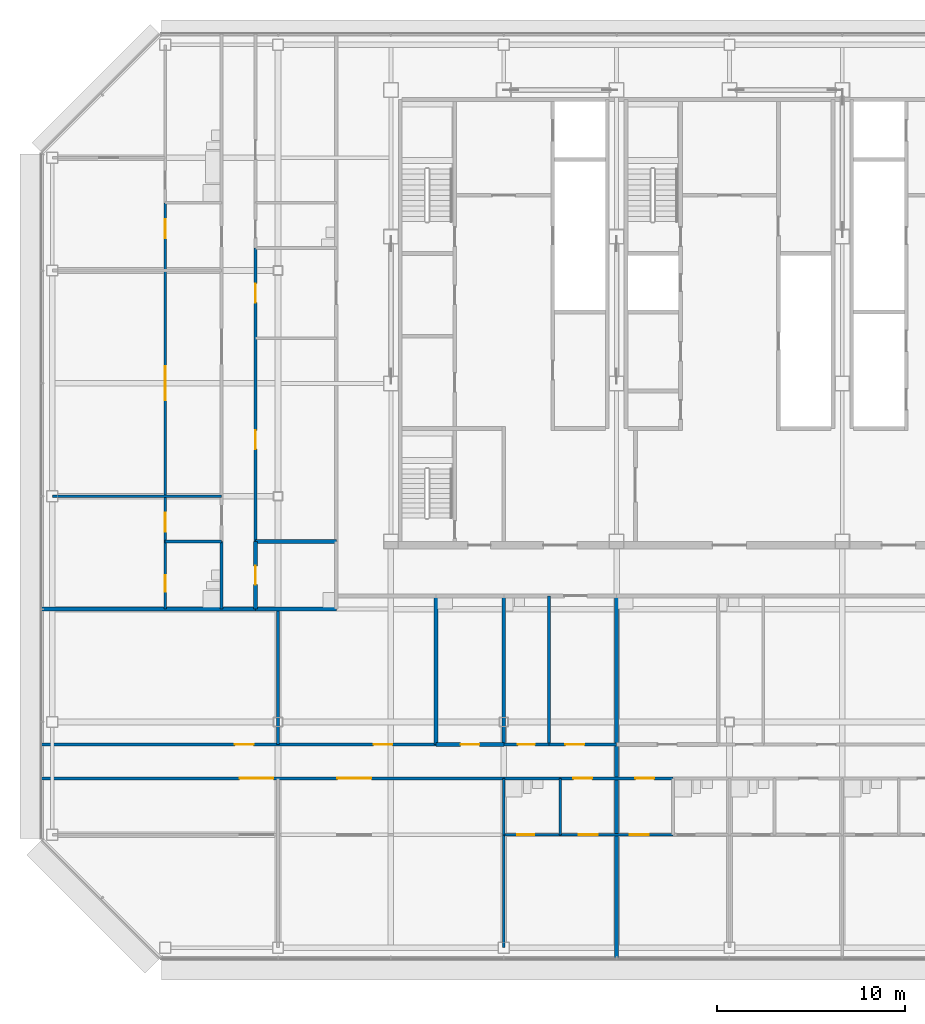
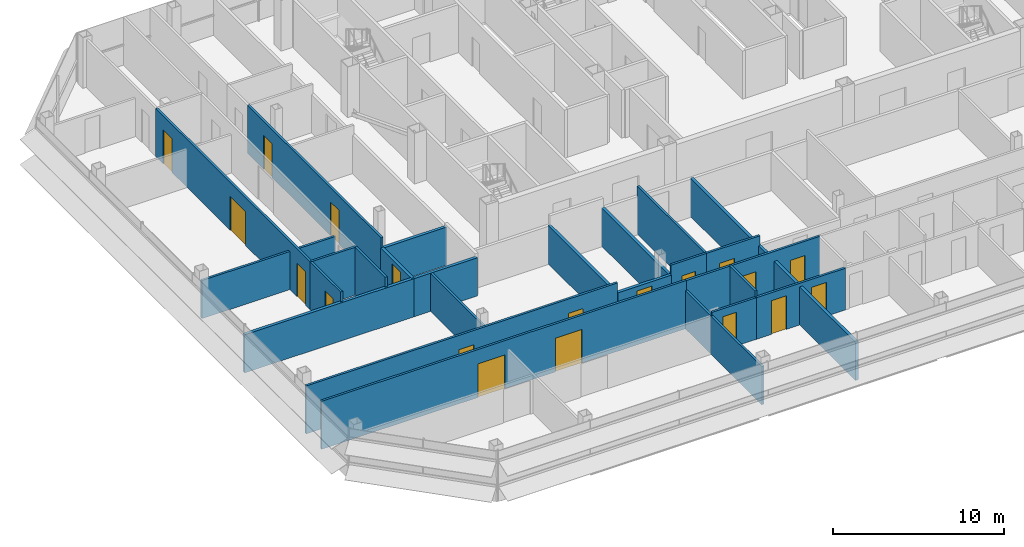
# One storey, part 21 of 28: 28 walls, 19 doors, 19 openings.
"""IFC4 building model written with IfcOpenShell, lengths in metres."""

from ifc_helpers import new_model, si_unit, direction, frame, frame_2d, origin, place, context, subcontext, project, spatial, rectangle, extrude, material, layer, layer_set, type_object, element, fill, save


model = new_model("IFC4")

# Units and contexts
model_context = context("Model", 3, precision=1e-05, world=origin(), true_north=direction((0.0, 1.0)))
body_context = subcontext(model_context, "Body", "Model", "MODEL_VIEW")
ifc_project = project(units=[si_unit("LENGTHUNIT", "METRE"), si_unit("AREAUNIT", "SQUARE_METRE"), si_unit("VOLUMEUNIT", "CUBIC_METRE"), si_unit("PLANEANGLEUNIT", "RADIAN"), si_unit("MASSUNIT", "GRAM", prefix="KILO")], contexts=[model_context])

# Site, building, storey
site_placement = place(None, origin())
site = spatial("IfcSite", under=ifc_project, at=site_placement, CompositionType="ELEMENT")
building_placement = place(site_placement, origin())
building = spatial("IfcBuilding", under=site, at=building_placement, Name="Sorahane Residences", CompositionType="ELEMENT")
storey_placement = place(building_placement, frame((0.0, 0.0, 250.39990234375)))
storey = spatial("IfcBuildingStorey", under=building, at=storey_placement, Name="L59", CompositionType="ELEMENT", Elevation=250.39990234375)

# Wall, opening, door
ifc_material_1 = material(Name="Concrete blockwork C20 wall", Category="masonry")
ifc_layer_1 = layer(ifc_material_1, 0.199951171875)
ifc_layer_set_1 = layer_set([ifc_layer_1], Name="Kitchen wall 200 EI 180")
wall_type_1 = type_object("IfcWallType", Name="Kitchen wall 200 EI 180", PredefinedType="SOLIDWALL", material=ifc_layer_set_1)
wall_1_placement = place(storey_placement, frame((-1.199951171875, 18.0, 0.0), z_axis=(0.0, 0.0, 1.0), x_axis=(0.0, 1.0, 0.0)))
wall_1 = element("IfcWall", 1, at=wall_1_placement, inside=storey, type_object=wall_type_1, Name="L59 kitchen wall", PredefinedType="SOLIDWALL", context=body_context, shape_type="SweptSolid", body=[
    extrude(rectangle(XDim=3.60009765625, YDim=0.199951171875, at=frame_2d((1.800048828125, 0.0))), origin(), (0.0, 0.0, 1.0), 2.72021484375),
])
opening_1_placement = place(wall_1_placement, frame((1.300048828125, 0.0, 0.0)))
opening_1 = element("IfcOpeningElement", 2, at=opening_1_placement, cuts=wall_1, Name="Opening L59-33", PredefinedType="OPENING", context=body_context, shape_type="SweptSolid", body=[
    extrude(rectangle(XDim=1.0, YDim=2.39990234375, at=frame_2d((0.5, 1.199951171875))), frame((0.0, 0.10986328125, 0.0), z_axis=(0.0, -1.0, 0.0), x_axis=(1.0, 0.0, 0.0)), (0.0, 0.0, 1.0), 0.219970703125),
])
ifc_material_2 = material(Name="Steel", Category="steel")
door_type_1 = type_object("IfcDoorType", Name="Kitchen door 1000x2400 FD120", OperationType="NOTDEFINED", PredefinedType="DOOR", material=ifc_material_2)
door_1_placement = place(opening_1_placement, frame((1.0, 0.0, 0.0), z_axis=(0.0, 0.0, 1.0), x_axis=(-1.0, 0.0, 0.0)))
door_1 = element("IfcDoor", 3, at=door_1_placement, inside=storey, type_object=door_type_1, Name="Kitchen door L59-33", OperationType="SINGLE_SWING_RIGHT", OverallHeight=2.39990234375, OverallWidth=1.0, PredefinedType="DOOR", context=body_context, shape_type="SweptSolid", body=[
    extrude(rectangle(XDim=1.0, YDim=2.39990234375, at=frame_2d((0.5, 1.199951171875))), frame((0.0, 0.02490234375, 0.0), z_axis=(0.0, -1.0, 0.0), x_axis=(1.0, 0.0, 0.0)), (0.0, 0.0, 1.0), 0.050048828125),
])
fill(opening_1, door_1)

# Walls
for number, where, z_axis, x_axis, name in (
    (4, (12.0, 10.800048828125, 0.0), (0.0, 0.0, 1.0), (0.0, 1.0, 0.0), "L59 kitchen wall"),
    (5, (18.0, 10.800048828125, 0.0), (0.0, 0.0, 1.0), (0.0, 1.0, 0.0), "L59 kitchen wall"),
    (6, (8.39990234375, 10.800048828125, 0.0), (0.0, 0.0, 1.0), (0.0, 1.0, 0.0), "L59 kitchen wall"),
):
    element("IfcWall", number, at=place(storey_placement, frame(where, z_axis=z_axis, x_axis=x_axis)), inside=storey, type_object=wall_type_1, Name=name, PredefinedType="SOLIDWALL", context=body_context, shape_type="SweptSolid", body=[
        extrude(rectangle(XDim=7.89990234375, YDim=0.199951171875, at=frame_2d((3.949951171875, 0.0))), origin(), (0.0, 0.0, 1.0), 2.72021484375),
    ])

# Wall, opening, door
wall_2_placement = place(storey_placement, frame((8.39990234375, 10.800048828125, 0.0), z_axis=(0.0, 0.0, 1.0), x_axis=(1.0, 0.0, 0.0)))
wall_2 = element("IfcWall", 7, at=wall_2_placement, inside=storey, type_object=wall_type_1, Name="L59 kitchen wall", PredefinedType="SOLIDWALL", context=body_context, shape_type="SweptSolid", body=[
    extrude(rectangle(XDim=3.60009765625, YDim=0.199951171875, at=frame_2d((1.800048828125, 0.0))), origin(), (0.0, 0.0, 1.0), 2.72021484375),
])
opening_2_placement = place(wall_2_placement, frame((1.300048828125, 0.0, 0.0)))
opening_2 = element("IfcOpeningElement", 8, at=opening_2_placement, cuts=wall_2, Name="Opening L59-04", PredefinedType="OPENING", context=body_context, shape_type="SweptSolid", body=[
    extrude(rectangle(XDim=1.0, YDim=2.39990234375, at=frame_2d((0.5, 1.199951171875))), frame((0.0, 0.10986328125, 0.0), z_axis=(0.0, -1.0, 0.0), x_axis=(1.0, 0.0, 0.0)), (0.0, 0.0, 1.0), 0.219970703125),
])
door_2_placement = place(opening_2_placement, origin())
door_2 = element("IfcDoor", 9, at=door_2_placement, inside=storey, type_object=door_type_1, Name="Kitchen door L59-04", OperationType="SINGLE_SWING_LEFT", OverallHeight=2.39990234375, OverallWidth=1.0, PredefinedType="DOOR", context=body_context, shape_type="SweptSolid", body=[
    extrude(rectangle(XDim=1.0, YDim=2.39990234375, at=frame_2d((0.5, 1.199951171875))), frame((0.0, 0.02490234375, 0.0), z_axis=(0.0, -1.0, 0.0), x_axis=(1.0, 0.0, 0.0)), (0.0, 0.0, 1.0), 0.050048828125),
])
fill(opening_2, door_2)

# Walls
for number, where, z_axis, x_axis, name in (
    (10, (-1.199951171875, 18.0, 0.0), (0.0, 0.0, 1.0), (1.0, 0.0, 0.0), "L59 kitchen wall"),
    (11, (-1.199951171875, 21.60009765625, 0.0), (0.0, 0.0, 1.0), (1.0, 0.0, 0.0), "L59 kitchen wall"),
):
    element("IfcWall", number, at=place(storey_placement, frame(where, z_axis=z_axis, x_axis=x_axis)), inside=storey, type_object=wall_type_1, Name=name, PredefinedType="SOLIDWALL", context=body_context, shape_type="SweptSolid", body=[
        extrude(rectangle(XDim=4.300048828125, YDim=0.199951171875, at=frame_2d((2.14990234375, 0.0))), origin(), (0.0, 0.0, 1.0), 2.72021484375),
    ])

# Wall, openings, doors
ifc_material_3 = material(Name="Gypsum board partition on steel studs", Category="steel")
ifc_layer_2 = layer(ifc_material_3, 0.14990234375)
ifc_layer_set_2 = layer_set([ifc_layer_2], Name="Partition 150 EI 90")
wall_type_2 = type_object("IfcWallType", Name="Partition 150 EI 90", PredefinedType="PARTITIONING", material=ifc_layer_set_2)
wall_3_placement = place(storey_placement, frame((-1.199951171875, 21.60009765625, 0.0), z_axis=(0.0, 0.0, 1.0), x_axis=(0.0, 1.0, 0.0)))
wall_3 = element("IfcWall", 12, at=wall_3_placement, inside=storey, type_object=wall_type_2, Name="L59 partition", PredefinedType="PARTITIONING", context=body_context, shape_type="SweptSolid", body=[
    extrude(rectangle(XDim=15.599853515625, YDim=0.14990234375, at=frame_2d((7.7998046875, 0.0))), origin(), (0.0, 0.0, 1.0), 3.420166015625),
])
opening_3_placement = place(wall_3_placement, frame((12.699951171875, 0.0, 0.0)))
opening_3 = element("IfcOpeningElement", 13, at=opening_3_placement, cuts=wall_3, Name="Opening L59-32", PredefinedType="OPENING", context=body_context, shape_type="SweptSolid", body=[
    extrude(rectangle(XDim=1.0, YDim=2.39990234375, at=frame_2d((0.5, 1.199951171875))), frame((0.0, 0.0849609375, 0.0), z_axis=(0.0, -1.0, 0.0), x_axis=(1.0, 0.0, 0.0)), (0.0, 0.0, 1.0), 0.169921875),
])
opening_4_placement = place(wall_3_placement, frame((4.89990234375, 0.0, 0.0)))
opening_4 = element("IfcOpeningElement", 14, at=opening_4_placement, cuts=wall_3, Name="Opening L59-34", PredefinedType="OPENING", context=body_context, shape_type="SweptSolid", body=[
    extrude(rectangle(XDim=1.0, YDim=2.39990234375, at=frame_2d((0.5, 1.199951171875))), frame((0.0, 0.0849609375, 0.0), z_axis=(0.0, -1.0, 0.0), x_axis=(1.0, 0.0, 0.0)), (0.0, 0.0, 1.0), 0.169921875),
])
ifc_material_4 = material(Name="Timber veneered fire door", Category="wood")
door_type_2 = type_object("IfcDoorType", Name="Room door 1000x2400 FD30", OperationType="NOTDEFINED", PredefinedType="DOOR", material=ifc_material_4)
door_3_placement = place(opening_3_placement, origin())
door_3 = element("IfcDoor", 15, at=door_3_placement, inside=storey, type_object=door_type_2, Name="Room door L59-32", OperationType="SINGLE_SWING_RIGHT", OverallHeight=2.39990234375, OverallWidth=1.0, PredefinedType="DOOR", context=body_context, shape_type="SweptSolid", body=[
    extrude(rectangle(XDim=1.0, YDim=2.39990234375, at=frame_2d((0.5, 1.199951171875))), frame((0.0, 0.02490234375, 0.0), z_axis=(0.0, -1.0, 0.0), x_axis=(1.0, 0.0, 0.0)), (0.0, 0.0, 1.0), 0.050048828125),
])
fill(opening_3, door_3)
door_4_placement = place(opening_4_placement, frame((1.0, 0.0, 0.0), z_axis=(0.0, 0.0, 1.0), x_axis=(-1.0, 0.0, 0.0)))
door_4 = element("IfcDoor", 16, at=door_4_placement, inside=storey, type_object=door_type_2, Name="Room door L59-34", OperationType="SINGLE_SWING_RIGHT", OverallHeight=2.39990234375, OverallWidth=1.0, PredefinedType="DOOR", context=body_context, shape_type="SweptSolid", body=[
    extrude(rectangle(XDim=1.0, YDim=2.39990234375, at=frame_2d((0.5, 1.199951171875))), frame((0.0, 0.02490234375, 0.0), z_axis=(0.0, -1.0, 0.0), x_axis=(1.0, 0.0, 0.0)), (0.0, 0.0, 1.0), 0.050048828125),
])
fill(opening_4, door_4)

wall_4_placement = place(storey_placement, frame((-6.0, 21.60009765625, 0.0), z_axis=(0.0, 0.0, 1.0), x_axis=(0.0, 1.0, 0.0)))
wall_4 = element("IfcWall", 17, at=wall_4_placement, inside=storey, type_object=wall_type_2, Name="L59 partition", PredefinedType="PARTITIONING", context=body_context, shape_type="SweptSolid", body=[
    extrude(rectangle(XDim=18.0, YDim=0.14990234375, at=frame_2d((9.0, 0.0))), origin(), (0.0, 0.0, 1.0), 3.420166015625),
])
opening_5_placement = place(wall_4_placement, frame((0.52001953125, 0.0, 0.0)))
opening_5 = element("IfcOpeningElement", 18, at=opening_5_placement, cuts=wall_4, Name="Opening L59-40", PredefinedType="OPENING", context=body_context, shape_type="SweptSolid", body=[
    extrude(rectangle(XDim=1.0, YDim=2.39990234375, at=frame_2d((0.5, 1.199951171875))), frame((0.0, 0.0849609375, 0.0), z_axis=(0.0, -1.0, 0.0), x_axis=(1.0, 0.0, 0.0)), (0.0, 0.0, 1.0), 0.169921875),
])
opening_6_placement = place(wall_4_placement, frame((7.5, 0.0, 0.0)))
opening_6 = element("IfcOpeningElement", 19, at=opening_6_placement, cuts=wall_4, Name="Opening L59-42", PredefinedType="OPENING", context=body_context, shape_type="SweptSolid", body=[
    extrude(rectangle(XDim=1.800048828125, YDim=2.39990234375, at=frame_2d((0.89990234375, 1.199951171875))), frame((0.0, 0.0849609375, 0.0), z_axis=(0.0, -1.0, 0.0), x_axis=(1.0, 0.0, 0.0)), (0.0, 0.0, 1.0), 0.169921875),
])
opening_7_placement = place(wall_4_placement, frame((16.1201171875, 0.0, 0.0)))
opening_7 = element("IfcOpeningElement", 20, at=opening_7_placement, cuts=wall_4, Name="Opening L59-43", PredefinedType="OPENING", context=body_context, shape_type="SweptSolid", body=[
    extrude(rectangle(XDim=1.0, YDim=2.39990234375, at=frame_2d((0.5, 1.199951171875))), frame((0.0, 0.0849609375, 0.0), z_axis=(0.0, -1.0, 0.0), x_axis=(1.0, 0.0, 0.0)), (0.0, 0.0, 1.0), 0.169921875),
])
ifc_material_5 = material(Name="Timber veneered fire door", Category="wood")
door_type_3 = type_object("IfcDoorType", Name="Double door 1800x2400 FD30", OperationType="NOTDEFINED", PredefinedType="DOOR", material=ifc_material_5)
door_5_placement = place(opening_6_placement, origin())
door_5 = element("IfcDoor", 21, at=door_5_placement, inside=storey, type_object=door_type_3, Name="Double door L59-42", OperationType="SINGLE_SWING_LEFT", OverallHeight=2.39990234375, OverallWidth=1.800048828125, PredefinedType="DOOR", context=body_context, shape_type="SweptSolid", body=[
    extrude(rectangle(XDim=1.800048828125, YDim=2.39990234375, at=frame_2d((0.89990234375, 1.199951171875))), frame((0.0, 0.02490234375, 0.0), z_axis=(0.0, -1.0, 0.0), x_axis=(1.0, 0.0, 0.0)), (0.0, 0.0, 1.0), 0.050048828125),
])
fill(opening_6, door_5)
door_6_placement = place(opening_5_placement, origin())
door_6 = element("IfcDoor", 22, at=door_6_placement, inside=storey, type_object=door_type_2, Name="Room door L59-40", OperationType="SINGLE_SWING_RIGHT", OverallHeight=2.39990234375, OverallWidth=1.0, PredefinedType="DOOR", context=body_context, shape_type="SweptSolid", body=[
    extrude(rectangle(XDim=1.0, YDim=2.39990234375, at=frame_2d((0.5, 1.199951171875))), frame((0.0, 0.02490234375, 0.0), z_axis=(0.0, -1.0, 0.0), x_axis=(1.0, 0.0, 0.0)), (0.0, 0.0, 1.0), 0.050048828125),
])
fill(opening_5, door_6)
door_7_placement = place(opening_7_placement, origin())
door_7 = element("IfcDoor", 23, at=door_7_placement, inside=storey, type_object=door_type_2, Name="Room door L59-43", OperationType="SINGLE_SWING_RIGHT", OverallHeight=2.39990234375, OverallWidth=1.0, PredefinedType="DOOR", context=body_context, shape_type="SweptSolid", body=[
    extrude(rectangle(XDim=1.0, YDim=2.39990234375, at=frame_2d((0.5, 1.199951171875))), frame((0.0, 0.02490234375, 0.0), z_axis=(0.0, -1.0, 0.0), x_axis=(1.0, 0.0, 0.0)), (0.0, 0.0, 1.0), 0.050048828125),
])
fill(opening_7, door_7)

# Walls
wall_5_placement = place(storey_placement, frame((0.0, 10.800048828125, 0.0), z_axis=(0.0, 0.0, 1.0), x_axis=(0.0, 1.0, 0.0)))
element("IfcWall", 24, at=wall_5_placement, inside=storey, type_object=wall_type_2, Name="L59 partition", PredefinedType="PARTITIONING", context=body_context, shape_type="SweptSolid", body=[
    extrude(rectangle(XDim=7.199951171875, YDim=0.14990234375, at=frame_2d((3.60009765625, 0.0))), origin(), (0.0, 0.0, 1.0), 2.72021484375),
])
wall_6_placement = place(storey_placement, frame((12.0, 0.0, 0.0), z_axis=(0.0, 0.0, 1.0), x_axis=(0.0, 1.0, 0.0)))
element("IfcWall", 25, at=wall_6_placement, inside=storey, type_object=wall_type_2, Name="L59 partition", PredefinedType="PARTITIONING", context=body_context, shape_type="SweptSolid", body=[
    extrude(rectangle(XDim=6.0, YDim=0.14990234375, at=frame_2d((3.0, 0.0))), origin(), (0.0, 0.0, 1.0), 2.72021484375),
])

# Wall, openings, doors
wall_7_placement = place(storey_placement, frame((-12.60009765625, 10.800048828125, 0.0), z_axis=(0.0, 0.0, 1.0), x_axis=(1.0, 0.0, 0.0)))
wall_7 = element("IfcWall", 26, at=wall_7_placement, inside=storey, type_object=wall_type_2, Name="L59 partition", PredefinedType="PARTITIONING", context=body_context, shape_type="SweptSolid", body=[
    extrude(rectangle(XDim=21.0, YDim=0.14990234375, at=frame_2d((10.5, 0.0))), origin(), (0.0, 0.0, 1.0), 3.420166015625),
])
opening_8_placement = place(wall_7_placement, frame((10.300048828125, 0.0, 0.0)))
opening_8 = element("IfcOpeningElement", 27, at=opening_8_placement, cuts=wall_7, Name="Opening L59-02", PredefinedType="OPENING", context=body_context, shape_type="SweptSolid", body=[
    extrude(rectangle(XDim=1.0, YDim=2.39990234375, at=frame_2d((0.5, 1.199951171875))), frame((0.0, 0.0849609375, 0.0), z_axis=(0.0, -1.0, 0.0), x_axis=(1.0, 0.0, 0.0)), (0.0, 0.0, 1.0), 0.169921875),
])
opening_9_placement = place(wall_7_placement, frame((17.679931640625, 0.0, 0.0)))
opening_9 = element("IfcOpeningElement", 28, at=opening_9_placement, cuts=wall_7, Name="Opening L59-03", PredefinedType="OPENING", context=body_context, shape_type="SweptSolid", body=[
    extrude(rectangle(XDim=1.0, YDim=2.39990234375, at=frame_2d((0.5, 1.199951171875))), frame((0.0, 0.0849609375, 0.0), z_axis=(0.0, -1.0, 0.0), x_axis=(1.0, 0.0, 0.0)), (0.0, 0.0, 1.0), 0.169921875),
])
door_8_placement = place(opening_8_placement, origin())
door_8 = element("IfcDoor", 29, at=door_8_placement, inside=storey, type_object=door_type_2, Name="Room door L59-02", OperationType="SINGLE_SWING_LEFT", OverallHeight=2.39990234375, OverallWidth=1.0, PredefinedType="DOOR", context=body_context, shape_type="SweptSolid", body=[
    extrude(rectangle(XDim=1.0, YDim=2.39990234375, at=frame_2d((0.5, 1.199951171875))), frame((0.0, 0.02490234375, 0.0), z_axis=(0.0, -1.0, 0.0), x_axis=(1.0, 0.0, 0.0)), (0.0, 0.0, 1.0), 0.050048828125),
])
fill(opening_8, door_8)
door_9_placement = place(opening_9_placement, origin())
door_9 = element("IfcDoor", 30, at=door_9_placement, inside=storey, type_object=door_type_2, Name="Room door L59-03", OperationType="SINGLE_SWING_LEFT", OverallHeight=2.39990234375, OverallWidth=1.0, PredefinedType="DOOR", context=body_context, shape_type="SweptSolid", body=[
    extrude(rectangle(XDim=1.0, YDim=2.39990234375, at=frame_2d((0.5, 1.199951171875))), frame((0.0, 0.02490234375, 0.0), z_axis=(0.0, -1.0, 0.0), x_axis=(1.0, 0.0, 0.0)), (0.0, 0.0, 1.0), 0.050048828125),
])
fill(opening_9, door_9)

# Wall, opening, door
wall_8_placement = place(storey_placement, frame((14.39990234375, 10.800048828125, 0.0), z_axis=(0.0, 0.0, 1.0), x_axis=(1.0, 0.0, 0.0)))
wall_8 = element("IfcWall", 31, at=wall_8_placement, inside=storey, type_object=wall_type_2, Name="L59 partition", PredefinedType="PARTITIONING", context=body_context, shape_type="SweptSolid", body=[
    extrude(rectangle(XDim=3.60009765625, YDim=0.14990234375, at=frame_2d((1.800048828125, 0.0))), origin(), (0.0, 0.0, 1.0), 3.420166015625),
])
opening_10_placement = place(wall_8_placement, frame((0.8798828125, 0.0, 0.0)))
opening_10 = element("IfcOpeningElement", 32, at=opening_10_placement, cuts=wall_8, Name="Opening L59-01", PredefinedType="OPENING", context=body_context, shape_type="SweptSolid", body=[
    extrude(rectangle(XDim=1.0, YDim=2.39990234375, at=frame_2d((0.5, 1.199951171875))), frame((0.0, 0.0849609375, 0.0), z_axis=(0.0, -1.0, 0.0), x_axis=(1.0, 0.0, 0.0)), (0.0, 0.0, 1.0), 0.169921875),
])
door_10_placement = place(opening_10_placement, frame((1.0, 0.0, 0.0), z_axis=(0.0, 0.0, 1.0), x_axis=(-1.0, 0.0, 0.0)))
door_10 = element("IfcDoor", 33, at=door_10_placement, inside=storey, type_object=door_type_2, Name="Room door L59-01", OperationType="SINGLE_SWING_RIGHT", OverallHeight=2.39990234375, OverallWidth=1.0, PredefinedType="DOOR", context=body_context, shape_type="SweptSolid", body=[
    extrude(rectangle(XDim=1.0, YDim=2.39990234375, at=frame_2d((0.5, 1.199951171875))), frame((0.0, 0.02490234375, 0.0), z_axis=(0.0, -1.0, 0.0), x_axis=(1.0, 0.0, 0.0)), (0.0, 0.0, 1.0), 0.050048828125),
])
fill(opening_10, door_10)

# Wall
wall_9_placement = place(storey_placement, frame((-12.0, 24.0, 0.0), z_axis=(0.0, 0.0, 1.0), x_axis=(1.0, 0.0, 0.0)))
element("IfcWall", 34, at=wall_9_placement, inside=storey, type_object=wall_type_2, Name="L59 partition", PredefinedType="PARTITIONING", context=body_context, shape_type="SweptSolid", body=[
    extrude(rectangle(XDim=9.0, YDim=0.14990234375, at=frame_2d((4.5, 0.0))), origin(), (0.0, 0.0, 1.0), 2.72021484375),
])

# Wall, openings, doors
wall_10_placement = place(storey_placement, frame((15.0, 6.0, 0.0), z_axis=(0.0, 0.0, 1.0), x_axis=(1.0, 0.0, 0.0)))
wall_10 = element("IfcWall", 35, at=wall_10_placement, inside=storey, type_object=wall_type_2, Name="L59 partition", PredefinedType="PARTITIONING", context=body_context, shape_type="SweptSolid", body=[
    extrude(rectangle(XDim=6.0, YDim=0.14990234375, at=frame_2d((3.0, 0.0))), origin(), (0.0, 0.0, 1.0), 2.97021484375),
])
opening_11_placement = place(wall_10_placement, frame((1.0, 0.0, 0.0)))
opening_11 = element("IfcOpeningElement", 36, at=opening_11_placement, cuts=wall_10, Name="Opening L59-11", PredefinedType="OPENING", context=body_context, shape_type="SweptSolid", body=[
    extrude(rectangle(XDim=1.0, YDim=2.39990234375, at=frame_2d((0.5, 1.199951171875))), frame((0.0, 0.0849609375, 0.0), z_axis=(0.0, -1.0, 0.0), x_axis=(1.0, 0.0, 0.0)), (0.0, 0.0, 1.0), 0.169921875),
])
opening_12_placement = place(wall_10_placement, frame((3.699951171875, 0.0, 0.0)))
opening_12 = element("IfcOpeningElement", 37, at=opening_12_placement, cuts=wall_10, Name="Opening L59-23", PredefinedType="OPENING", context=body_context, shape_type="SweptSolid", body=[
    extrude(rectangle(XDim=1.0, YDim=2.39990234375, at=frame_2d((0.5, 1.199951171875))), frame((0.0, 0.0849609375, 0.0), z_axis=(0.0, -1.0, 0.0), x_axis=(1.0, 0.0, 0.0)), (0.0, 0.0, 1.0), 0.169921875),
])
door_11_placement = place(opening_11_placement, frame((1.0, 0.0, 0.0), z_axis=(0.0, 0.0, 1.0), x_axis=(-1.0, 0.0, 0.0)))
door_11 = element("IfcDoor", 38, at=door_11_placement, inside=storey, type_object=door_type_2, Name="Room door L59-11", OperationType="SINGLE_SWING_RIGHT", OverallHeight=2.39990234375, OverallWidth=1.0, PredefinedType="DOOR", context=body_context, shape_type="SweptSolid", body=[
    extrude(rectangle(XDim=1.0, YDim=2.39990234375, at=frame_2d((0.5, 1.199951171875))), frame((0.0, 0.02490234375, 0.0), z_axis=(0.0, -1.0, 0.0), x_axis=(1.0, 0.0, 0.0)), (0.0, 0.0, 1.0), 0.050048828125),
])
fill(opening_11, door_11)
door_12_placement = place(opening_12_placement, frame((1.0, 0.0, 0.0), z_axis=(0.0, 0.0, 1.0), x_axis=(-1.0, 0.0, 0.0)))
door_12 = element("IfcDoor", 39, at=door_12_placement, inside=storey, type_object=door_type_2, Name="Room door L59-23", OperationType="SINGLE_SWING_RIGHT", OverallHeight=2.39990234375, OverallWidth=1.0, PredefinedType="DOOR", context=body_context, shape_type="SweptSolid", body=[
    extrude(rectangle(XDim=1.0, YDim=2.39990234375, at=frame_2d((0.5, 1.199951171875))), frame((0.0, 0.02490234375, 0.0), z_axis=(0.0, -1.0, 0.0), x_axis=(1.0, 0.0, 0.0)), (0.0, 0.0, 1.0), 0.050048828125),
])
fill(opening_12, door_12)

wall_11_placement = place(storey_placement, frame((-12.60009765625, 9.0, 0.0), z_axis=(0.0, 0.0, 1.0), x_axis=(1.0, 0.0, 0.0)))
wall_11 = element("IfcWall", 40, at=wall_11_placement, inside=storey, type_object=wall_type_2, Name="L59 partition", PredefinedType="PARTITIONING", context=body_context, shape_type="SweptSolid", body=[
    extrude(rectangle(XDim=24.60009765625, YDim=0.14990234375, at=frame_2d((12.300048828125, 0.0))), origin(), (0.0, 0.0, 1.0), 3.420166015625),
])
opening_13_placement = place(wall_11_placement, frame((10.550048828125, 0.0, 0.0)))
opening_13 = element("IfcOpeningElement", 41, at=opening_13_placement, cuts=wall_11, Name="Opening L59-06", PredefinedType="OPENING", context=body_context, shape_type="SweptSolid", body=[
    extrude(rectangle(XDim=1.800048828125, YDim=2.39990234375, at=frame_2d((0.89990234375, 1.199951171875))), frame((0.0, 0.0849609375, 0.0), z_axis=(0.0, -1.0, 0.0), x_axis=(1.0, 0.0, 0.0)), (0.0, 0.0, 1.0), 0.169921875),
])
opening_14_placement = place(wall_11_placement, frame((15.760009765625, 0.0, 0.0)))
opening_14 = element("IfcOpeningElement", 42, at=opening_14_placement, cuts=wall_11, Name="Opening L59-07", PredefinedType="OPENING", context=body_context, shape_type="SweptSolid", body=[
    extrude(rectangle(XDim=1.800048828125, YDim=2.39990234375, at=frame_2d((0.89990234375, 1.199951171875))), frame((0.0, 0.0849609375, 0.0), z_axis=(0.0, -1.0, 0.0), x_axis=(1.0, 0.0, 0.0)), (0.0, 0.0, 1.0), 0.169921875),
])
door_13_placement = place(opening_13_placement, frame((1.800048828125, 0.0, 0.0), z_axis=(0.0, 0.0, 1.0), x_axis=(-1.0, 0.0, 0.0)))
door_13 = element("IfcDoor", 43, at=door_13_placement, inside=storey, type_object=door_type_3, Name="Double door L59-06", OperationType="SINGLE_SWING_RIGHT", OverallHeight=2.39990234375, OverallWidth=1.800048828125, PredefinedType="DOOR", context=body_context, shape_type="SweptSolid", body=[
    extrude(rectangle(XDim=1.800048828125, YDim=2.39990234375, at=frame_2d((0.89990234375, 1.199951171875))), frame((0.0, 0.02490234375, 0.0), z_axis=(0.0, -1.0, 0.0), x_axis=(1.0, 0.0, 0.0)), (0.0, 0.0, 1.0), 0.050048828125),
])
fill(opening_13, door_13)
door_14_placement = place(opening_14_placement, frame((1.800048828125, 0.0, 0.0), z_axis=(0.0, 0.0, 1.0), x_axis=(-1.0, 0.0, 0.0)))
door_14 = element("IfcDoor", 44, at=door_14_placement, inside=storey, type_object=door_type_3, Name="Double door L59-07", OperationType="SINGLE_SWING_LEFT", OverallHeight=2.39990234375, OverallWidth=1.800048828125, PredefinedType="DOOR", context=body_context, shape_type="SweptSolid", body=[
    extrude(rectangle(XDim=1.800048828125, YDim=2.39990234375, at=frame_2d((0.89990234375, 1.199951171875))), frame((0.0, 0.02490234375, 0.0), z_axis=(0.0, -1.0, 0.0), x_axis=(1.0, 0.0, 0.0)), (0.0, 0.0, 1.0), 0.050048828125),
])
fill(opening_14, door_14)

wall_12_placement = place(storey_placement, frame((15.0, 9.0, 0.0), z_axis=(0.0, 0.0, 1.0), x_axis=(1.0, 0.0, 0.0)))
wall_12 = element("IfcWall", 45, at=wall_12_placement, inside=storey, type_object=wall_type_2, Name="L59 partition", PredefinedType="PARTITIONING", context=body_context, shape_type="SweptSolid", body=[
    extrude(rectangle(XDim=6.0, YDim=0.14990234375, at=frame_2d((3.0, 0.0))), origin(), (0.0, 0.0, 1.0), 3.420166015625),
])
opening_15_placement = place(wall_12_placement, frame((0.699951171875, 0.0, 0.0)))
opening_15 = element("IfcOpeningElement", 46, at=opening_15_placement, cuts=wall_12, Name="Opening L59-08", PredefinedType="OPENING", context=body_context, shape_type="SweptSolid", body=[
    extrude(rectangle(XDim=1.0, YDim=2.39990234375, at=frame_2d((0.5, 1.199951171875))), frame((0.0, 0.0849609375, 0.0), z_axis=(0.0, -1.0, 0.0), x_axis=(1.0, 0.0, 0.0)), (0.0, 0.0, 1.0), 0.169921875),
])
opening_16_placement = place(wall_12_placement, frame((4.0, 0.0, 0.0)))
opening_16 = element("IfcOpeningElement", 47, at=opening_16_placement, cuts=wall_12, Name="Opening L59-18", PredefinedType="OPENING", context=body_context, shape_type="SweptSolid", body=[
    extrude(rectangle(XDim=1.0, YDim=2.39990234375, at=frame_2d((0.5, 1.199951171875))), frame((0.0, 0.0849609375, 0.0), z_axis=(0.0, -1.0, 0.0), x_axis=(1.0, 0.0, 0.0)), (0.0, 0.0, 1.0), 0.169921875),
])
door_15_placement = place(opening_15_placement, frame((1.0, 0.0, 0.0), z_axis=(0.0, 0.0, 1.0), x_axis=(-1.0, 0.0, 0.0)))
door_15 = element("IfcDoor", 48, at=door_15_placement, inside=storey, type_object=door_type_2, Name="Room door L59-08", OperationType="SINGLE_SWING_RIGHT", OverallHeight=2.39990234375, OverallWidth=1.0, PredefinedType="DOOR", context=body_context, shape_type="SweptSolid", body=[
    extrude(rectangle(XDim=1.0, YDim=2.39990234375, at=frame_2d((0.5, 1.199951171875))), frame((0.0, 0.02490234375, 0.0), z_axis=(0.0, -1.0, 0.0), x_axis=(1.0, 0.0, 0.0)), (0.0, 0.0, 1.0), 0.050048828125),
])
fill(opening_15, door_15)
door_16_placement = place(opening_16_placement, frame((1.0, 0.0, 0.0), z_axis=(0.0, 0.0, 1.0), x_axis=(-1.0, 0.0, 0.0)))
door_16 = element("IfcDoor", 49, at=door_16_placement, inside=storey, type_object=door_type_2, Name="Room door L59-18", OperationType="SINGLE_SWING_LEFT", OverallHeight=2.39990234375, OverallWidth=1.0, PredefinedType="DOOR", context=body_context, shape_type="SweptSolid", body=[
    extrude(rectangle(XDim=1.0, YDim=2.39990234375, at=frame_2d((0.5, 1.199951171875))), frame((0.0, 0.02490234375, 0.0), z_axis=(0.0, -1.0, 0.0), x_axis=(1.0, 0.0, 0.0)), (0.0, 0.0, 1.0), 0.050048828125),
])
fill(opening_16, door_16)

# Walls
ifc_material_6 = material(Name="Concrete blockwork C20 wall", Category="masonry")
ifc_layer_3 = layer(ifc_material_6, 0.199951171875)
ifc_layer_set_3 = layer_set([ifc_layer_3], Name="Party wall 200 EI 120")
wall_type_3 = type_object("IfcWallType", Name="Party wall 200 EI 120", PredefinedType="SOLIDWALL", material=ifc_layer_set_3)
for number, where, z_axis, x_axis, name in (
    (50, (18.0, -0.60009765625, 0.0), (0.0, 0.0, 1.0), (0.0, 1.0, 0.0), "L59 party wall"),
    (51, (-12.60009765625, 18.0, 0.0), (0.0, 0.0, 1.0), (1.0, 0.0, 0.0), "L59 party wall"),
):
    element("IfcWall", number, at=place(storey_placement, frame(where, z_axis=z_axis, x_axis=x_axis)), inside=storey, type_object=wall_type_3, Name=name, PredefinedType="SOLIDWALL", context=body_context, shape_type="SweptSolid", body=[
        extrude(rectangle(XDim=11.400146484375, YDim=0.199951171875, at=frame_2d((5.7001953125, 0.0))), origin(), (0.0, 0.0, 1.0), 2.72021484375),
    ])
ifc_material_7 = material(Name="Gypsum board partition on steel studs", Category="steel")
ifc_layer_4 = layer(ifc_material_7, 0.14990234375)
ifc_layer_set_4 = layer_set([ifc_layer_4], Name="Wet wall 150 EI 90")
wall_type_4 = type_object("IfcWallType", Name="Wet wall 150 EI 90", PredefinedType="PARTITIONING", material=ifc_layer_set_4)
wall_13_placement = place(storey_placement, frame((-3.0, 18.0, 0.0), z_axis=(0.0, 0.0, 1.0), x_axis=(0.0, 1.0, 0.0)))
element("IfcWall", 52, at=wall_13_placement, inside=storey, type_object=wall_type_4, Name="L59 wet wall", PredefinedType="PARTITIONING", context=body_context, shape_type="SweptSolid", body=[
    extrude(rectangle(XDim=3.60009765625, YDim=0.14990234375, at=frame_2d((1.800048828125, 0.0))), origin(), (0.0, 0.0, 1.0), 3.420166015625),
])

# Wall, opening, door
wall_14_placement = place(storey_placement, frame((-6.0, 18.0, 0.0), z_axis=(0.0, 0.0, 1.0), x_axis=(0.0, 1.0, 0.0)))
wall_14 = element("IfcWall", 53, at=wall_14_placement, inside=storey, type_object=wall_type_4, Name="L59 wet wall", PredefinedType="PARTITIONING", context=body_context, shape_type="SweptSolid", body=[
    extrude(rectangle(XDim=3.60009765625, YDim=0.14990234375, at=frame_2d((1.800048828125, 0.0))), origin(), (0.0, 0.0, 1.0), 3.420166015625),
])
opening_17_placement = place(wall_14_placement, frame((0.909912109375, 0.0, 0.0)))
opening_17 = element("IfcOpeningElement", 54, at=opening_17_placement, cuts=wall_14, Name="Opening L59-41", PredefinedType="OPENING", context=body_context, shape_type="SweptSolid", body=[
    extrude(rectangle(XDim=0.89990234375, YDim=2.39990234375, at=frame_2d((0.449951171875, 1.199951171875))), frame((0.0, 0.0849609375, 0.0), z_axis=(0.0, -1.0, 0.0), x_axis=(1.0, 0.0, 0.0)), (0.0, 0.0, 1.0), 0.169921875),
])
ifc_material_8 = material(Name="Timber veneered fire door", Category="wood")
door_type_4 = type_object("IfcDoorType", Name="Bathroom door 900x2400 FD30", OperationType="NOTDEFINED", PredefinedType="DOOR", material=ifc_material_8)
door_17_placement = place(opening_17_placement, origin())
door_17 = element("IfcDoor", 55, at=door_17_placement, inside=storey, type_object=door_type_4, Name="Bathroom door L59-41", OperationType="SINGLE_SWING_LEFT", OverallHeight=2.39990234375, OverallWidth=0.89990234375, PredefinedType="DOOR", context=body_context, shape_type="SweptSolid", body=[
    extrude(rectangle(XDim=0.89990234375, YDim=2.39990234375, at=frame_2d((0.449951171875, 1.199951171875))), frame((0.0, 0.02490234375, 0.0), z_axis=(0.0, -1.0, 0.0), x_axis=(1.0, 0.0, 0.0)), (0.0, 0.0, 1.0), 0.050048828125),
])
fill(opening_17, door_17)

# Walls
wall_15_placement = place(storey_placement, frame((12.0, 6.0, 0.0), z_axis=(0.0, 0.0, 1.0), x_axis=(0.0, 1.0, 0.0)))
element("IfcWall", 56, at=wall_15_placement, inside=storey, type_object=wall_type_4, Name="L59 wet wall", PredefinedType="PARTITIONING", context=body_context, shape_type="SweptSolid", body=[
    extrude(rectangle(XDim=3.0, YDim=0.14990234375, at=frame_2d((1.5, 0.0))), origin(), (0.0, 0.0, 1.0), 2.72021484375),
])
wall_16_placement = place(storey_placement, frame((14.39990234375, 10.800048828125, 0.0), z_axis=(0.0, 0.0, 1.0), x_axis=(0.0, 1.0, 0.0)))
element("IfcWall", 57, at=wall_16_placement, inside=storey, type_object=wall_type_4, Name="L59 wet wall", PredefinedType="PARTITIONING", context=body_context, shape_type="SweptSolid", body=[
    extrude(rectangle(XDim=7.89990234375, YDim=0.14990234375, at=frame_2d((3.949951171875, 0.0))), origin(), (0.0, 0.0, 1.0), 3.420166015625),
])
wall_17_placement = place(storey_placement, frame((15.0, 6.0, 0.0), z_axis=(0.0, 0.0, 1.0), x_axis=(0.0, 1.0, 0.0)))
element("IfcWall", 58, at=wall_17_placement, inside=storey, type_object=wall_type_4, Name="L59 wet wall", PredefinedType="PARTITIONING", context=body_context, shape_type="SweptSolid", body=[
    extrude(rectangle(XDim=3.0, YDim=0.14990234375, at=frame_2d((1.5, 0.0))), origin(), (0.0, 0.0, 1.0), 3.420166015625),
])

# Wall, opening, door
wall_18_placement = place(storey_placement, frame((12.0, 10.800048828125, 0.0), z_axis=(0.0, 0.0, 1.0), x_axis=(1.0, 0.0, 0.0)))
wall_18 = element("IfcWall", 59, at=wall_18_placement, inside=storey, type_object=wall_type_4, Name="L59 wet wall", PredefinedType="PARTITIONING", context=body_context, shape_type="SweptSolid", body=[
    extrude(rectangle(XDim=2.39990234375, YDim=0.14990234375, at=frame_2d((1.199951171875, 0.0))), origin(), (0.0, 0.0, 1.0), 3.420166015625),
])
opening_18_placement = place(wall_18_placement, frame((0.75, 0.0, 0.0)))
opening_18 = element("IfcOpeningElement", 60, at=opening_18_placement, cuts=wall_18, Name="Opening L59-05", PredefinedType="OPENING", context=body_context, shape_type="SweptSolid", body=[
    extrude(rectangle(XDim=0.89990234375, YDim=2.39990234375, at=frame_2d((0.449951171875, 1.199951171875))), frame((0.0, 0.0849609375, 0.0), z_axis=(0.0, -1.0, 0.0), x_axis=(1.0, 0.0, 0.0)), (0.0, 0.0, 1.0), 0.169921875),
])
door_18_placement = place(opening_18_placement, frame((0.89990234375, 0.0, 0.0), z_axis=(0.0, 0.0, 1.0), x_axis=(-1.0, 0.0, 0.0)))
door_18 = element("IfcDoor", 61, at=door_18_placement, inside=storey, type_object=door_type_4, Name="Bathroom door L59-05", OperationType="SINGLE_SWING_RIGHT", OverallHeight=2.39990234375, OverallWidth=0.89990234375, PredefinedType="DOOR", context=body_context, shape_type="SweptSolid", body=[
    extrude(rectangle(XDim=0.89990234375, YDim=2.39990234375, at=frame_2d((0.449951171875, 1.199951171875))), frame((0.0, 0.02490234375, 0.0), z_axis=(0.0, -1.0, 0.0), x_axis=(1.0, 0.0, 0.0)), (0.0, 0.0, 1.0), 0.050048828125),
])
fill(opening_18, door_18)

# Wall
wall_19_placement = place(storey_placement, frame((-6.0, 21.60009765625, 0.0), z_axis=(0.0, 0.0, 1.0), x_axis=(1.0, 0.0, 0.0)))
element("IfcWall", 62, at=wall_19_placement, inside=storey, type_object=wall_type_4, Name="L59 wet wall", PredefinedType="PARTITIONING", context=body_context, shape_type="SweptSolid", body=[
    extrude(rectangle(XDim=3.0, YDim=0.14990234375, at=frame_2d((1.5, 0.0))), origin(), (0.0, 0.0, 1.0), 3.420166015625),
])

# Wall, opening, door
wall_20_placement = place(storey_placement, frame((12.0, 6.0, 0.0), z_axis=(0.0, 0.0, 1.0), x_axis=(1.0, 0.0, 0.0)))
wall_20 = element("IfcWall", 63, at=wall_20_placement, inside=storey, type_object=wall_type_4, Name="L59 wet wall", PredefinedType="PARTITIONING", context=body_context, shape_type="SweptSolid", body=[
    extrude(rectangle(XDim=3.0, YDim=0.14990234375, at=frame_2d((1.5, 0.0))), origin(), (0.0, 0.0, 1.0), 2.97021484375),
])
opening_19_placement = place(wall_20_placement, frame((0.72998046875, 0.0, 0.0)))
opening_19 = element("IfcOpeningElement", 64, at=opening_19_placement, cuts=wall_20, Name="Opening L59-12", PredefinedType="OPENING", context=body_context, shape_type="SweptSolid", body=[
    extrude(rectangle(XDim=0.89990234375, YDim=2.39990234375, at=frame_2d((0.449951171875, 1.199951171875))), frame((0.0, 0.0849609375, 0.0), z_axis=(0.0, -1.0, 0.0), x_axis=(1.0, 0.0, 0.0)), (0.0, 0.0, 1.0), 0.169921875),
])
door_19_placement = place(opening_19_placement, frame((0.89990234375, 0.0, 0.0), z_axis=(0.0, 0.0, 1.0), x_axis=(-1.0, 0.0, 0.0)))
door_19 = element("IfcDoor", 65, at=door_19_placement, inside=storey, type_object=door_type_4, Name="Bathroom door L59-12", OperationType="SINGLE_SWING_RIGHT", OverallHeight=2.39990234375, OverallWidth=0.89990234375, PredefinedType="DOOR", context=body_context, shape_type="SweptSolid", body=[
    extrude(rectangle(XDim=0.89990234375, YDim=2.39990234375, at=frame_2d((0.449951171875, 1.199951171875))), frame((0.0, 0.02490234375, 0.0), z_axis=(0.0, -1.0, 0.0), x_axis=(1.0, 0.0, 0.0)), (0.0, 0.0, 1.0), 0.050048828125),
])
fill(opening_19, door_19)

# Wall
wall_21_placement = place(storey_placement, frame((12.0, 9.0, 0.0), z_axis=(0.0, 0.0, 1.0), x_axis=(1.0, 0.0, 0.0)))
element("IfcWall", 66, at=wall_21_placement, inside=storey, type_object=wall_type_4, Name="L59 wet wall", PredefinedType="PARTITIONING", context=body_context, shape_type="SweptSolid", body=[
    extrude(rectangle(XDim=3.0, YDim=0.14990234375, at=frame_2d((1.5, 0.0))), origin(), (0.0, 0.0, 1.0), 3.420166015625),
])

save(model, "model.ifc")
